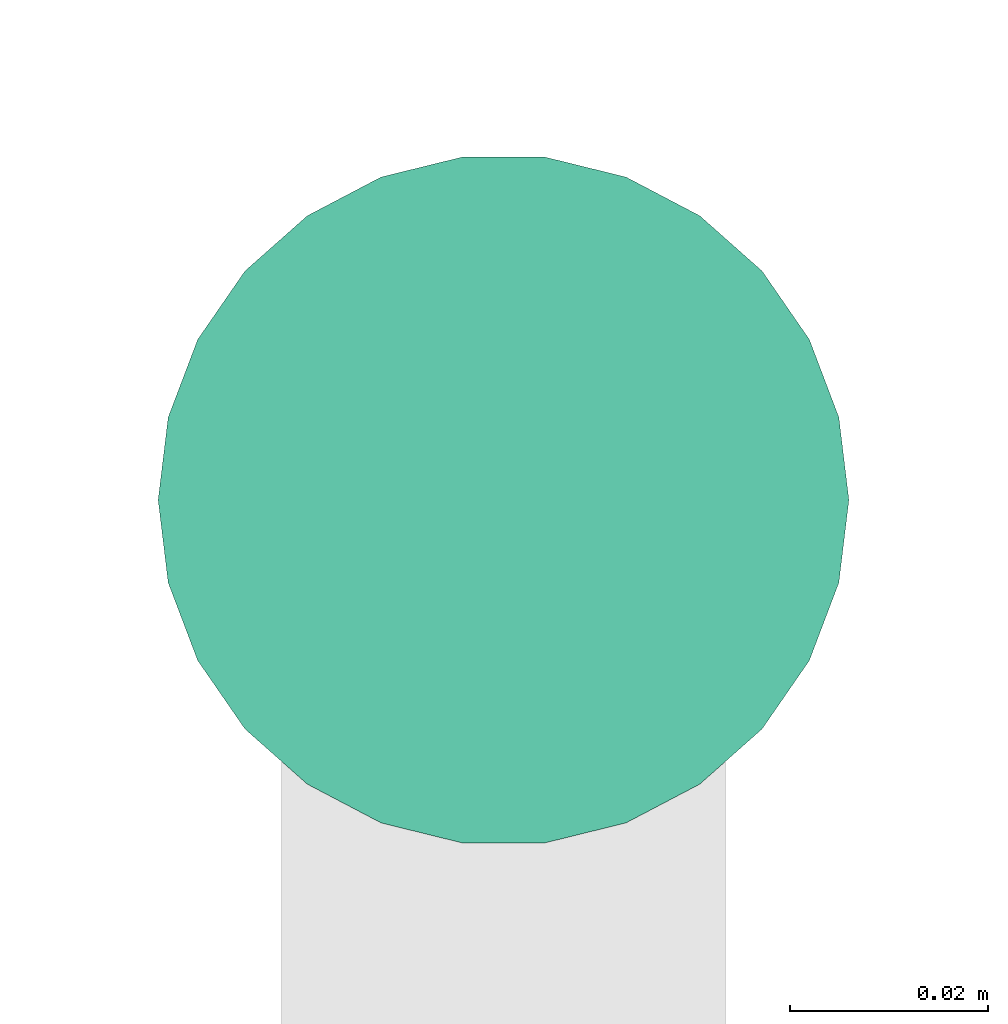
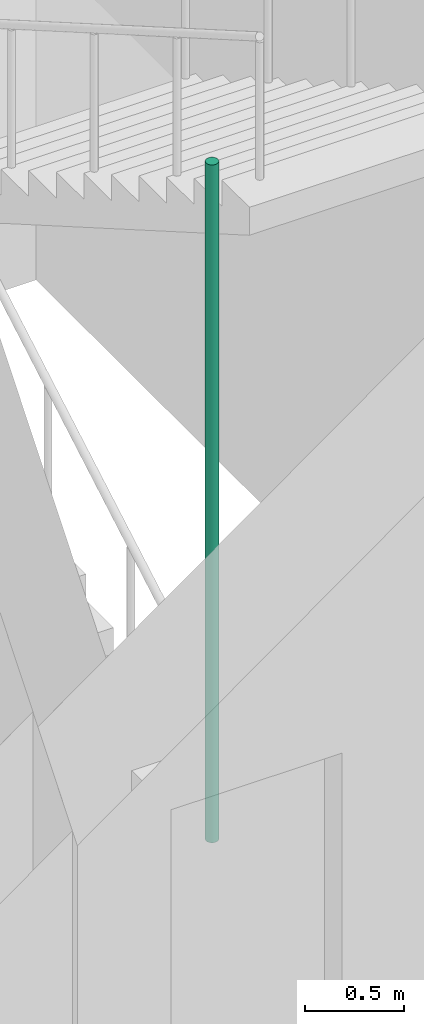
# One storey, part 24 of 27: 1 pipe segment.
"""IFC4 building model written with IfcOpenShell, lengths in metres."""

from ifc_helpers import new_model, si_unit, direction, frame, origin, origin_2d, place, context, subcontext, project, spatial, circle, extrude, element, save


model = new_model("IFC4")

# Units and contexts
model_context = context("Model", 3, precision=1e-05, world=origin(), true_north=direction((0.0, 1.0)))
body_context = subcontext(model_context, "Body", "Model", "MODEL_VIEW")
ifc_project = project(units=[si_unit("LENGTHUNIT", "METRE"), si_unit("AREAUNIT", "SQUARE_METRE"), si_unit("VOLUMEUNIT", "CUBIC_METRE"), si_unit("PLANEANGLEUNIT", "RADIAN"), si_unit("MASSUNIT", "GRAM", prefix="KILO")], contexts=[model_context])

# Site, building, storey
site_placement = place(None, origin())
site = spatial("IfcSite", under=ifc_project, at=site_placement, CompositionType="ELEMENT")
building_placement = place(site_placement, origin())
building = spatial("IfcBuilding", under=site, at=building_placement, Name="Nzadi Deep Aquarium and Research Tower", CompositionType="ELEMENT")
storey_placement = place(building_placement, frame((0.0, 0.0, 69.699951171875)))
storey = spatial("IfcBuildingStorey", under=building, at=storey_placement, Name="L14", CompositionType="ELEMENT", Elevation=69.699951171875)

# Pipe segment
pipe_segment_placement = place(storey_placement, frame((25.10009765625, 13.719970703125, 0.0), z_axis=(0.0, 0.0, 1.0), x_axis=(1.0, 0.0, 0.0)))
element("IfcPipeSegment", 1, at=pipe_segment_placement, inside=storey, Name="Dry riser ST-Z1-SE L14", PredefinedType="RIGIDSEGMENT", context=body_context, shape_type="SweptSolid", body=[
    extrude(circle(Radius=0.034912109375, at=origin_2d()), origin(), (0.0, 0.0, 1.0), 4.199951171875),
])

save(model, "model.ifc")
